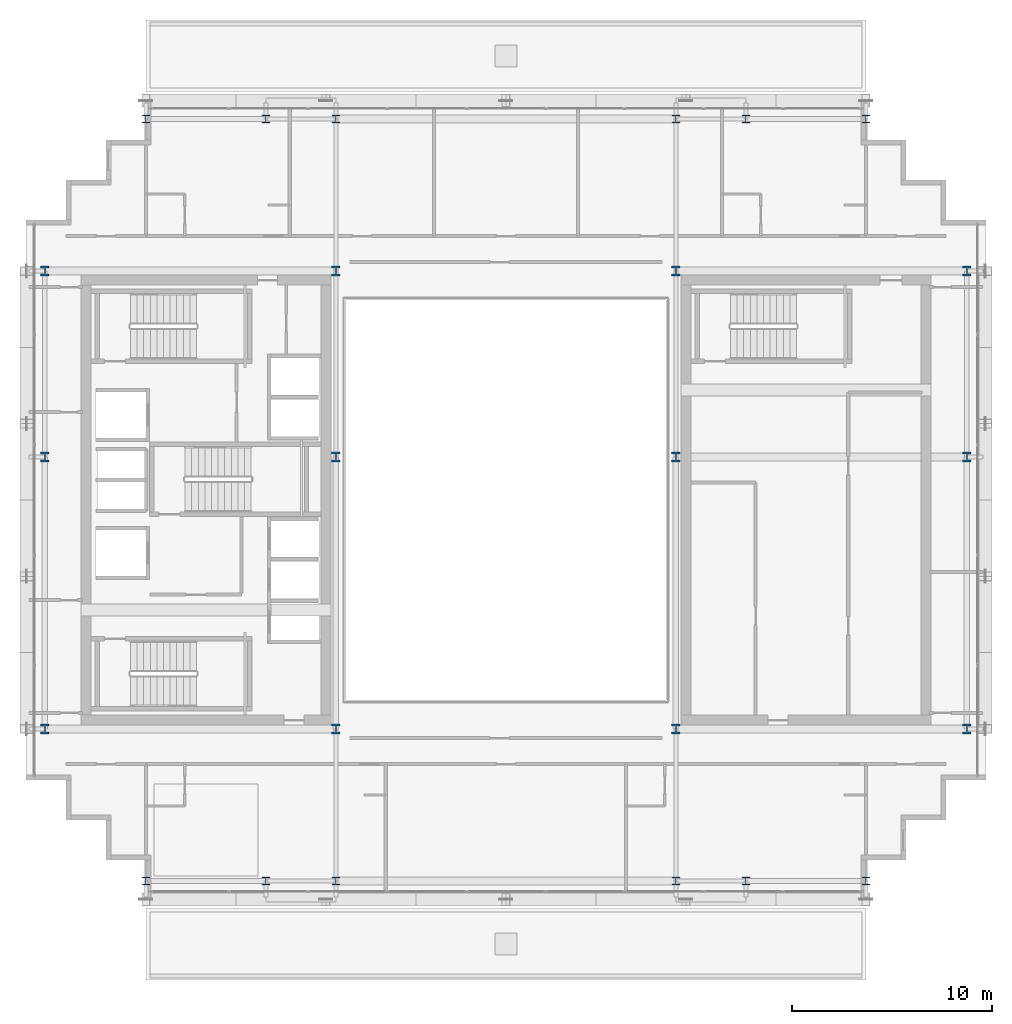
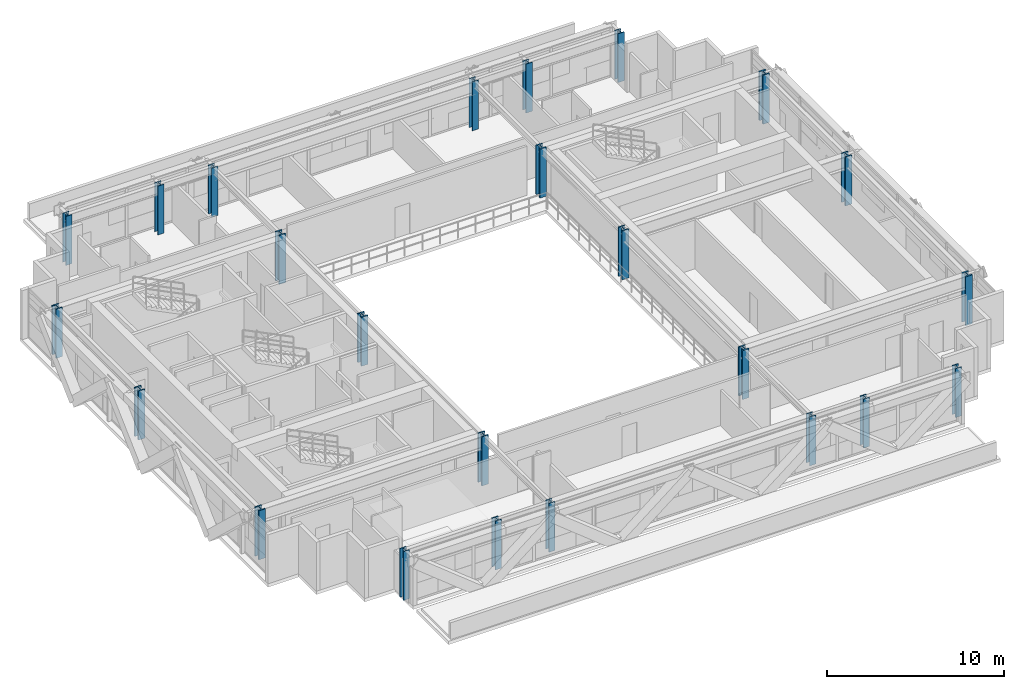
# One storey, part 1 of 34: 24 columns.
"""IFC4 building model written with IfcOpenShell, lengths in metres."""

from ifc_helpers import new_model, si_unit, direction, frame, origin, origin_2d, place, context, subcontext, project, spatial, i_section, extrude, source, transform, mapped, material, material_profile, profile_set, type_object, element, save


model = new_model("IFC4")

# Units and contexts
model_context = context("Model", 3, precision=1e-05, world=origin(), true_north=direction((0.0, 1.0)))
body_context = subcontext(model_context, "Body", "Model", "MODEL_VIEW")
ifc_project = project(units=[si_unit("LENGTHUNIT", "METRE"), si_unit("AREAUNIT", "SQUARE_METRE"), si_unit("VOLUMEUNIT", "CUBIC_METRE"), si_unit("PLANEANGLEUNIT", "RADIAN"), si_unit("MASSUNIT", "GRAM", prefix="KILO")], contexts=[model_context])

# Site, building, storey
site_placement = place(None, origin())
site = spatial("IfcSite", under=ifc_project, at=site_placement, CompositionType="ELEMENT")
building_placement = place(site_placement, origin())
building = spatial("IfcBuilding", under=site, at=building_placement, Name="Ocotamira Hotel", CompositionType="ELEMENT")
storey_placement = place(building_placement, frame((0.0, 0.0, 163.199951171875)))
storey = spatial("IfcBuildingStorey", under=building, at=storey_placement, Name="L40", CompositionType="ELEMENT", Elevation=163.199951171875)

# Columns
ifc_material = material(Name="Steel ASTM A913 Grade 65", Category="steel")
ifc_material_profile_1 = material_profile(ifc_material, i_section(OverallWidth=0.431884765625, OverallDepth=0.498046875, WebThickness=0.0556640625, FlangeThickness=0.0888671875, FilletRadius=0.02490234375, at=origin_2d()), Name="W14X500")
ifc_profile_set_1 = profile_set([ifc_material_profile_1], Name="Steel ASTM A913 Grade 65")
column_type_1 = type_object("IfcColumnType", Name="COL-W14X500", PredefinedType="COLUMN", material=ifc_profile_set_1)
shared_shape_1 = source(origin(), body_context, "Body", "SweptSolid", [
    extrude(i_section(OverallWidth=0.431884765625, OverallDepth=0.498046875, WebThickness=0.0556640625, FlangeThickness=0.0888671875, FilletRadius=0.02490234375, at=origin_2d()), origin(), (0.0, 0.0, 1.0), 3.3701171875),
])
for number, where, z_axis, x_axis, name in (
    (1, (8.949951171875, 14.550048828125, 0.0), (0.0, 0.0, 1.0), (1.0, 0.0, 0.0), "L40 Column TW8_14"),
    (2, (23.5, 14.550048828125, 0.0), (0.0, 0.0, 1.0), (1.0, 0.0, 0.0), "L40 Column TW23_14"),
    (3, (40.5, 14.550048828125, 0.0), (0.0, 0.0, 1.0), (1.0, 0.0, 0.0), "L40 Column TE40_14"),
    (4, (55.050048828125, 14.550048828125, 0.0), (0.0, 0.0, 1.0), (1.0, 0.0, 0.0), "L40 Column TE55_14"),
    (5, (8.949951171875, 28.14990234375, 0.0), (0.0, 0.0, 1.0), (1.0, 0.0, 0.0), "L40 Column TW8_28"),
    (6, (23.5, 28.14990234375, 0.0), (0.0, 0.0, 1.0), (1.0, 0.0, 0.0), "L40 Column TW23_28"),
    (7, (40.5, 28.14990234375, 0.0), (0.0, 0.0, 1.0), (1.0, 0.0, 0.0), "L40 Column TE40_28"),
    (8, (55.050048828125, 28.14990234375, 0.0), (0.0, 0.0, 1.0), (1.0, 0.0, 0.0), "L40 Column TE55_28"),
    (9, (8.949951171875, 37.449951171875, 0.0), (0.0, 0.0, 1.0), (1.0, 0.0, 0.0), "L40 Column TW8_37"),
    (10, (23.5, 37.449951171875, 0.0), (0.0, 0.0, 1.0), (1.0, 0.0, 0.0), "L40 Column TW23_37"),
    (11, (40.5, 37.449951171875, 0.0), (0.0, 0.0, 1.0), (1.0, 0.0, 0.0), "L40 Column TE40_37"),
    (12, (55.050048828125, 37.449951171875, 0.0), (0.0, 0.0, 1.0), (1.0, 0.0, 0.0), "L40 Column TE55_37"),
):
    element("IfcColumn", number, at=place(storey_placement, frame(where, z_axis=z_axis, x_axis=x_axis)), inside=storey, type_object=column_type_1, Name=name, PredefinedType="COLUMN", context=body_context, shape_type="MappedRepresentation", body=[
        mapped(shared_shape_1, transform((0.0, 0.0, 0.0), scale=1.0)),
    ])
ifc_material_profile_2 = material_profile(ifc_material, i_section(OverallWidth=0.404052734375, OverallDepth=0.406982421875, WebThickness=0.027099609375, FlangeThickness=0.043701171875, FilletRadius=0.02490234375, at=origin_2d()), Name="W14X233")
ifc_profile_set_2 = profile_set([ifc_material_profile_2], Name="Steel ASTM A913 Grade 65")
column_type_2 = type_object("IfcColumnType", Name="COL-W14X233", PredefinedType="COLUMN", material=ifc_profile_set_2)
shared_shape_2 = source(origin(), body_context, "Body", "SweptSolid", [
    extrude(i_section(OverallWidth=0.404052734375, OverallDepth=0.406982421875, WebThickness=0.027099609375, FlangeThickness=0.043701171875, FilletRadius=0.02490234375, at=origin_2d()), origin(), (0.0, 0.0, 1.0), 3.3701171875),
])
for number, where, z_axis, x_axis, name in (
    (13, (14.0, 6.949951171875, 0.0), (0.0, 0.0, 1.0), (1.0, 0.0, 0.0), "L40 Column NSP1_14"),
    (14, (20.0, 6.949951171875, 0.0), (0.0, 0.0, 1.0), (1.0, 0.0, 0.0), "L40 Column NSP1_20"),
    (15, (23.5, 6.949951171875, 0.0), (0.0, 0.0, 1.0), (1.0, 0.0, 0.0), "L40 Column NSP1_23"),
    (16, (40.5, 6.949951171875, 0.0), (0.0, 0.0, 1.0), (1.0, 0.0, 0.0), "L40 Column NSP1_40"),
    (17, (44.0, 6.949951171875, 0.0), (0.0, 0.0, 1.0), (1.0, 0.0, 0.0), "L40 Column NSP1_44"),
    (18, (50.0, 6.949951171875, 0.0), (0.0, 0.0, 1.0), (1.0, 0.0, 0.0), "L40 Column NSP1_50"),
    (19, (14.0, 45.050048828125, 0.0), (0.0, 0.0, 1.0), (1.0, 0.0, 0.0), "L40 Column NSP2_14"),
    (20, (20.0, 45.050048828125, 0.0), (0.0, 0.0, 1.0), (1.0, 0.0, 0.0), "L40 Column NSP2_20"),
    (21, (23.5, 45.050048828125, 0.0), (0.0, 0.0, 1.0), (1.0, 0.0, 0.0), "L40 Column NSP2_23"),
    (22, (40.5, 45.050048828125, 0.0), (0.0, 0.0, 1.0), (1.0, 0.0, 0.0), "L40 Column NSP2_40"),
    (23, (44.0, 45.050048828125, 0.0), (0.0, 0.0, 1.0), (1.0, 0.0, 0.0), "L40 Column NSP2_44"),
    (24, (50.0, 45.050048828125, 0.0), (0.0, 0.0, 1.0), (1.0, 0.0, 0.0), "L40 Column NSP2_50"),
):
    element("IfcColumn", number, at=place(storey_placement, frame(where, z_axis=z_axis, x_axis=x_axis)), inside=storey, type_object=column_type_2, Name=name, PredefinedType="COLUMN", context=body_context, shape_type="MappedRepresentation", body=[
        mapped(shared_shape_2, transform((0.0, 0.0, 0.0), scale=1.0)),
    ])

save(model, "model.ifc")
